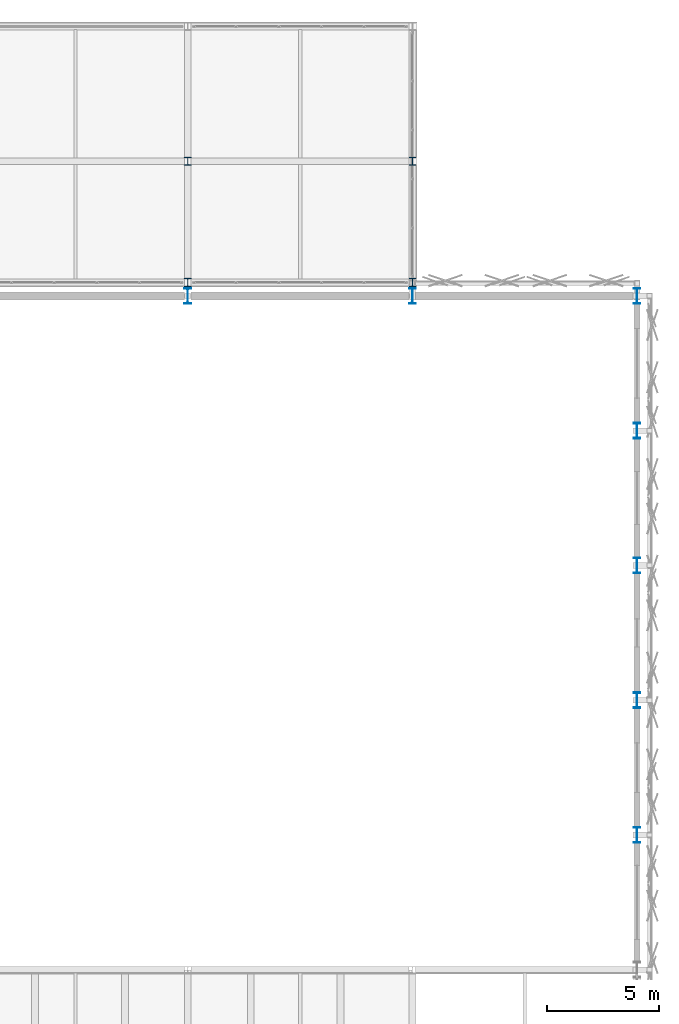
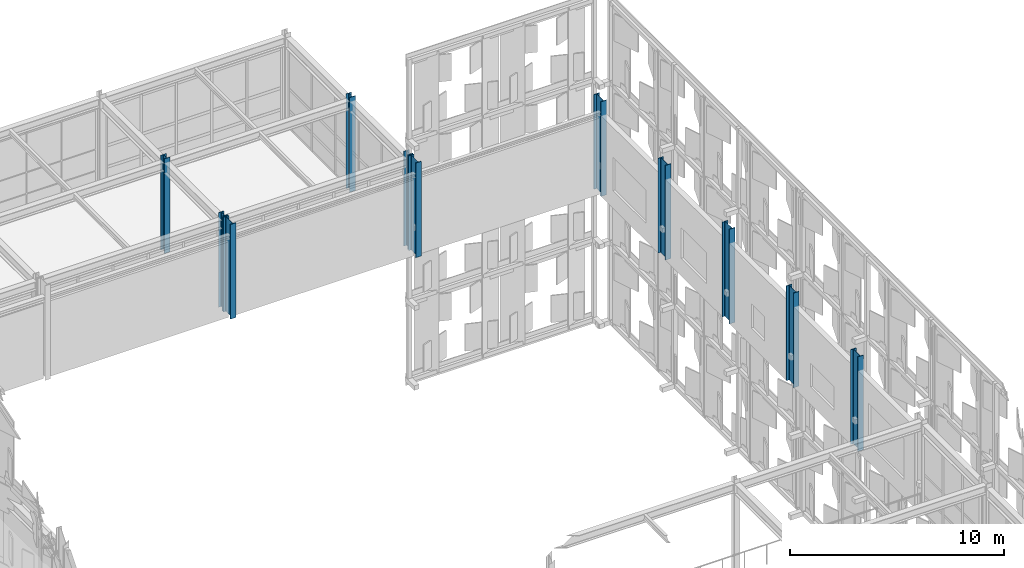
# One storey, part 21 of 239: 11 columns.
"""IFC4 building model written with IfcOpenShell, lengths in metres."""

from ifc_helpers import new_model, si_unit, direction, frame, origin, origin_2d, place, context, subcontext, project, spatial, i_section, extrude, material, material_profile, profile_set, type_object, element, save


model = new_model("IFC4")

# Units and contexts
model_context = context("Model", 3, precision=1e-05, world=origin(), true_north=direction((0.0, 1.0)))
body_context = subcontext(model_context, "Body", "Model", "MODEL_VIEW")
ifc_project = project(units=[si_unit("LENGTHUNIT", "METRE"), si_unit("AREAUNIT", "SQUARE_METRE"), si_unit("VOLUMEUNIT", "CUBIC_METRE"), si_unit("PLANEANGLEUNIT", "RADIAN"), si_unit("MASSUNIT", "GRAM", prefix="KILO")], contexts=[model_context])

# Site, building, storey
site_placement = place(None, origin())
site = spatial("IfcSite", under=ifc_project, at=site_placement, CompositionType="ELEMENT")
building_placement = place(site_placement, origin())
building = spatial("IfcBuilding", under=site, at=building_placement, Name="Kaldris Quays Convention Centre", CompositionType="ELEMENT")
storey_placement = place(building_placement, frame((0.0, 0.0, 11.39990234375)))
storey = spatial("IfcBuildingStorey", under=building, at=storey_placement, Name="L02", CompositionType="ELEMENT", Elevation=11.39990234375)

# Columns
ifc_material = material(Name="Steel S355J2", Category="steel")
ifc_material_profile_1 = material_profile(ifc_material, i_section(OverallWidth=0.300048828125, OverallDepth=0.699951171875, WebThickness=0.01708984375, FlangeThickness=0.031982421875, FilletRadius=0.027099609375, at=origin_2d()), Name="HEB 700")
ifc_profile_set_1 = profile_set([ifc_material_profile_1], Name="Steel S355J2")
column_type_1 = type_object("IfcColumnType", Name="STRUCTURAL COLUMN CL05", PredefinedType="COLUMN", material=ifc_profile_set_1)
for number, where, z_axis, x_axis, name in (
    (1, (184.0, 104.0, 0.0), (0.0, 0.0, 1.0), (1.0, 0.0, 0.0), "L02 V2 Column CL05 (184.00, 104.00)"),
    (2, (194.0, 104.0, 0.0), (0.0, 0.0, 1.0), (1.0, 0.0, 0.0), "L02 V2 Column CL05 (194.00, 104.00)"),
    (3, (204.0, 80.0, 0.0), (0.0, 0.0, 1.0), (1.0, 0.0, 0.0), "L02 V2 Column CL05 (204.00, 80.00)"),
    (4, (204.0, 86.0, 0.0), (0.0, 0.0, 1.0), (1.0, 0.0, 0.0), "L02 V2 Column CL05 (204.00, 86.00)"),
    (5, (204.0, 92.0, 0.0), (0.0, 0.0, 1.0), (1.0, 0.0, 0.0), "L02 V2 Column CL05 (204.00, 92.00)"),
    (6, (204.0, 98.0, 0.0), (0.0, 0.0, 1.0), (1.0, 0.0, 0.0), "L02 V2 Column CL05 (204.00, 98.00)"),
    (7, (204.0, 104.0, 0.0), (0.0, 0.0, 1.0), (1.0, 0.0, 0.0), "L02 V2 Column CL05 (204.00, 104.00)"),
):
    element("IfcColumn", number, at=place(storey_placement, frame(where, z_axis=z_axis, x_axis=x_axis)), inside=storey, type_object=column_type_1, Name=name, PredefinedType="COLUMN", context=body_context, shape_type="SweptSolid", body=[
        extrude(i_section(OverallWidth=0.300048828125, OverallDepth=0.699951171875, WebThickness=0.01708984375, FlangeThickness=0.031982421875, FilletRadius=0.027099609375, at=origin_2d()), origin(), (0.0, 0.0, 1.0), 5.400146484375),
    ])
ifc_material_profile_2 = material_profile(ifc_material, i_section(OverallWidth=0.300048828125, OverallDepth=0.360107421875, WebThickness=0.012451171875, FlangeThickness=0.0224609375, FilletRadius=0.027099609375, at=origin_2d()), Name="HEB 360")
ifc_profile_set_2 = profile_set([ifc_material_profile_2], Name="Steel S355J2")
column_type_2 = type_object("IfcColumnType", Name="STRUCTURAL COLUMN CL10", PredefinedType="COLUMN", material=ifc_profile_set_2)
for number, where, z_axis, x_axis, name in (
    (8, (184.0, 104.60009765625, 0.0), (0.0, 0.0, 1.0), (1.0, 0.0, 0.0), "L02 V4 Column CL10 (184.00, 104.60)"),
    (9, (184.0, 110.0, 0.0), (0.0, 0.0, 1.0), (1.0, 0.0, 0.0), "L02 V4 Column CL10 (184.00, 110.00)"),
    (10, (194.0, 104.60009765625, 0.0), (0.0, 0.0, 1.0), (1.0, 0.0, 0.0), "L02 V4 Column CL10 (194.00, 104.60)"),
    (11, (194.0, 110.0, 0.0), (0.0, 0.0, 1.0), (1.0, 0.0, 0.0), "L02 V4 Column CL10 (194.00, 110.00)"),
):
    element("IfcColumn", number, at=place(storey_placement, frame(where, z_axis=z_axis, x_axis=x_axis)), inside=storey, type_object=column_type_2, Name=name, PredefinedType="COLUMN", context=body_context, shape_type="SweptSolid", body=[
        extrude(i_section(OverallWidth=0.300048828125, OverallDepth=0.360107421875, WebThickness=0.012451171875, FlangeThickness=0.0224609375, FilletRadius=0.027099609375, at=origin_2d()), origin(), (0.0, 0.0, 1.0), 5.400146484375),
    ])

save(model, "model.ifc")
